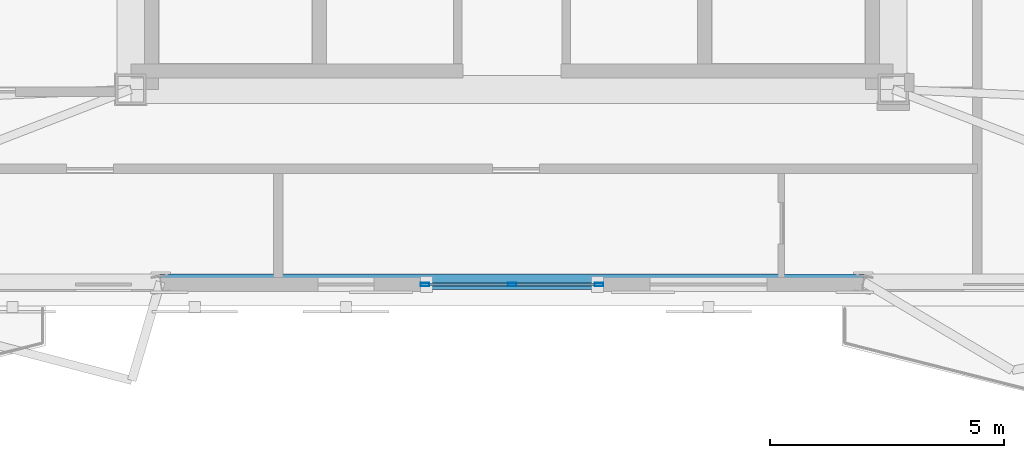
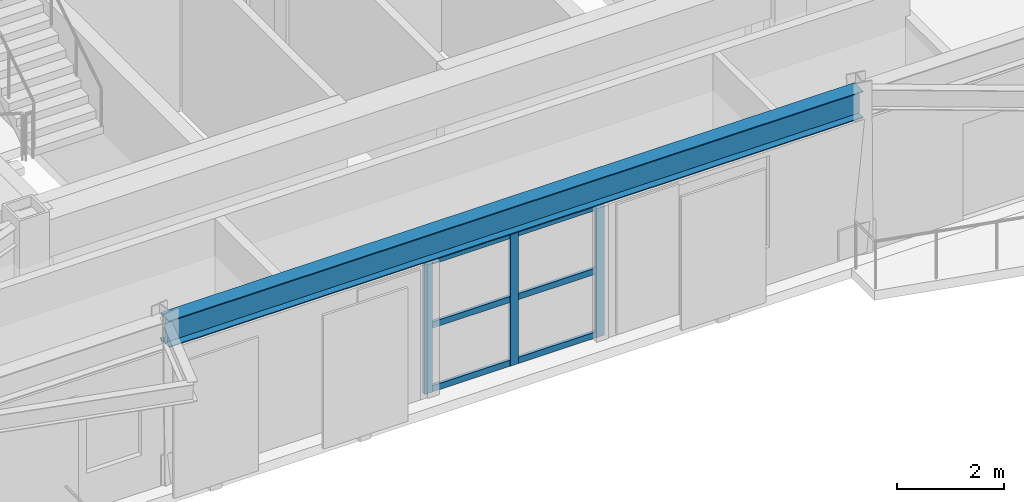
# One storey, part 2 of 15: 9 members, 1 beam, 1 element without a shape of its own.
"""IFC4 building model written with IfcOpenShell, lengths in metres."""

from ifc_helpers import new_model, si_unit, direction, frame, origin, origin_2d, place, context, subcontext, project, spatial, hollow_rectangle, i_section, extrude, material, layer, layer_set, material_profile, profile_set, type_object, element, aggregate, save


model = new_model("IFC4")

# Units and contexts
model_context = context("Model", 3, precision=1e-05, world=origin(), true_north=direction((0.0, 1.0)))
body_context = subcontext(model_context, "Body", "Model", "MODEL_VIEW")
ifc_project = project(units=[si_unit("LENGTHUNIT", "METRE"), si_unit("AREAUNIT", "SQUARE_METRE"), si_unit("VOLUMEUNIT", "CUBIC_METRE"), si_unit("PLANEANGLEUNIT", "RADIAN"), si_unit("MASSUNIT", "GRAM", prefix="KILO")], contexts=[model_context])

# Site, building, storey
site_placement = place(None, origin())
site = spatial("IfcSite", under=ifc_project, at=site_placement, CompositionType="ELEMENT")
building_placement = place(site_placement, origin())
building = spatial("IfcBuilding", under=site, at=building_placement, Name="Oramaril Tower", CompositionType="ELEMENT")
storey_placement = place(building_placement, frame((0.0, 0.0, 288.89990234375)))
storey = spatial("IfcBuildingStorey", under=building, at=storey_placement, Name="L76", CompositionType="ELEMENT", Elevation=288.89990234375)

# Beam
ifc_material_1 = material(Name="Steel ASTM A572 Gr 50", Category="steel")
ifc_material_profile_1 = material_profile(ifc_material_1, i_section(OverallWidth=0.324951171875, OverallDepth=0.612060546875, WebThickness=0.0126953125, FlangeThickness=0.01904296875, at=origin_2d()), Name="W24X104")
ifc_profile_set_1 = profile_set([ifc_material_profile_1], Name="Steel ASTM A572 Gr 50")
beam_type = type_object("IfcBeamType", Name="BT-SP5", PredefinedType="SPANDREL", material=ifc_profile_set_1)
beam_placement = place(storey_placement, frame((29.986083984375, 6.884521484375, 3.3740234375), z_axis=(1.0, 0.0, 0.0), x_axis=(0.0, 1.0, 0.0)))
element("IfcBeam", 1, at=beam_placement, inside=storey, type_object=beam_type, Name="L76 Perimeter Spandrel 04", PredefinedType="SPANDREL", context=body_context, shape_type="SweptSolid", body=[
    extrude(i_section(OverallWidth=0.324951171875, OverallDepth=0.612060546875, WebThickness=0.0126953125, FlangeThickness=0.01904296875, at=origin_2d()), origin(), (0.0, 0.0, 1.0), 15.02783203125),
])

# Curtain wall, members
ifc_material_2 = material(Name="Anodised Aluminium 6063-T6", Category="aluminium")
ifc_layer = layer(ifc_material_2, 0.179931640625)
ifc_layer_set = layer_set([ifc_layer], Name="CWT-SYS4")
curtain_wall_type = type_object("IfcCurtainWallType", Name="CWT-SYS4", PredefinedType="NOTDEFINED", material=ifc_layer_set)
curtain_wall_placement = place(storey_placement, origin())
curtain_wall = element("IfcCurtainWall", 2, at=curtain_wall_placement, inside=storey, type_object=curtain_wall_type, Name="L76 Unitised Curtain Wall CW-4", PredefinedType="NOTDEFINED")
ifc_material_3 = material(Name="Anodised Aluminium 6063-T6", Category="aluminium")
ifc_material_profile_2 = material_profile(ifc_material_3, hollow_rectangle(XDim=0.070068359375, YDim=0.179931640625, WallThickness=0.00390625, at=origin_2d()), Name="CWM180X70")
ifc_profile_set_2 = profile_set([ifc_material_profile_2], Name="Anodised Aluminium 6063-T6")
member_type_1 = type_object("IfcMemberType", Name="MT-CWM2", PredefinedType="MULLION", material=ifc_profile_set_2)
member_1_placement = place(storey_placement, frame((35.639892578125, 6.827392578125, 0.0), z_axis=(0.0, 0.0, 1.0), x_axis=(0.0, 1.0, 0.0)))
member_1 = element("IfcMember", 3, at=member_1_placement, type_object=member_type_1, Name="CW-4 mullion 1", PredefinedType="MULLION", context=body_context, shape_type="SweptSolid", body=[
    extrude(hollow_rectangle(XDim=0.070068359375, YDim=0.179931640625, WallThickness=0.00390625, at=origin_2d()), origin(), (0.0, 0.0, 1.0), 3.05810546875),
])
member_2_placement = place(storey_placement, frame((37.5, 6.827392578125, 0.0), z_axis=(0.0, 0.0, 1.0), x_axis=(0.0, 1.0, 0.0)))
member_2 = element("IfcMember", 4, at=member_2_placement, type_object=member_type_1, Name="CW-4 mullion 2", PredefinedType="MULLION", context=body_context, shape_type="SweptSolid", body=[
    extrude(hollow_rectangle(XDim=0.070068359375, YDim=0.179931640625, WallThickness=0.00390625, at=origin_2d()), origin(), (0.0, 0.0, 1.0), 3.05810546875),
])
member_3_placement = place(storey_placement, frame((39.360107421875, 6.827392578125, 0.0), z_axis=(0.0, 0.0, 1.0), x_axis=(0.0, 1.0, 0.0)))
member_3 = element("IfcMember", 5, at=member_3_placement, type_object=member_type_1, Name="CW-4 mullion 3", PredefinedType="MULLION", context=body_context, shape_type="SweptSolid", body=[
    extrude(hollow_rectangle(XDim=0.070068359375, YDim=0.179931640625, WallThickness=0.00390625, at=origin_2d()), origin(), (0.0, 0.0, 1.0), 3.05810546875),
])
ifc_material_4 = material(Name="Anodised Aluminium 6063-T6", Category="aluminium")
ifc_material_profile_3 = material_profile(ifc_material_4, hollow_rectangle(XDim=0.06494140625, YDim=0.139892578125, WallThickness=0.00390625, at=origin_2d()), Name="CWT140X65")
ifc_profile_set_3 = profile_set([ifc_material_profile_3], Name="Anodised Aluminium 6063-T6")
member_type_2 = type_object("IfcMemberType", Name="MT-CWT2", PredefinedType="USERDEFINED", material=ifc_profile_set_3)
member_4_placement = place(storey_placement, frame((35.72998046875, 6.827392578125, 0.070068359375), z_axis=(1.0, 0.0, 0.0), x_axis=(0.0, 1.0, 0.0)))
member_4 = element("IfcMember", 6, at=member_4_placement, type_object=member_type_2, Name="CW-4 transom 1.1", ObjectType="TRANSOM", PredefinedType="USERDEFINED", context=body_context, shape_type="SweptSolid", body=[
    extrude(hollow_rectangle(XDim=0.06494140625, YDim=0.139892578125, WallThickness=0.00390625, at=origin_2d()), origin(), (0.0, 0.0, 1.0), 1.679931640625),
])
member_5_placement = place(storey_placement, frame((35.72998046875, 6.827392578125, 1.529052734375), z_axis=(1.0, 0.0, 0.0), x_axis=(0.0, 1.0, 0.0)))
member_5 = element("IfcMember", 7, at=member_5_placement, type_object=member_type_2, Name="CW-4 transom 1.2", ObjectType="TRANSOM", PredefinedType="USERDEFINED", context=body_context, shape_type="SweptSolid", body=[
    extrude(hollow_rectangle(XDim=0.06494140625, YDim=0.139892578125, WallThickness=0.00390625, at=origin_2d()), origin(), (0.0, 0.0, 1.0), 1.679931640625),
])
member_6_placement = place(storey_placement, frame((35.72998046875, 6.827392578125, 2.988037109375), z_axis=(1.0, 0.0, 0.0), x_axis=(0.0, 1.0, 0.0)))
member_6 = element("IfcMember", 8, at=member_6_placement, type_object=member_type_2, Name="CW-4 transom 1.3", ObjectType="TRANSOM", PredefinedType="USERDEFINED", context=body_context, shape_type="SweptSolid", body=[
    extrude(hollow_rectangle(XDim=0.06494140625, YDim=0.139892578125, WallThickness=0.00390625, at=origin_2d()), origin(), (0.0, 0.0, 1.0), 1.679931640625),
])
member_7_placement = place(storey_placement, frame((37.590087890625, 6.827392578125, 0.070068359375), z_axis=(1.0, 0.0, 0.0), x_axis=(0.0, 1.0, 0.0)))
member_7 = element("IfcMember", 9, at=member_7_placement, type_object=member_type_2, Name="CW-4 transom 2.1", ObjectType="TRANSOM", PredefinedType="USERDEFINED", context=body_context, shape_type="SweptSolid", body=[
    extrude(hollow_rectangle(XDim=0.06494140625, YDim=0.139892578125, WallThickness=0.00390625, at=origin_2d()), origin(), (0.0, 0.0, 1.0), 1.679931640625),
])
member_8_placement = place(storey_placement, frame((37.590087890625, 6.827392578125, 1.529052734375), z_axis=(1.0, 0.0, 0.0), x_axis=(0.0, 1.0, 0.0)))
member_8 = element("IfcMember", 10, at=member_8_placement, type_object=member_type_2, Name="CW-4 transom 2.2", ObjectType="TRANSOM", PredefinedType="USERDEFINED", context=body_context, shape_type="SweptSolid", body=[
    extrude(hollow_rectangle(XDim=0.06494140625, YDim=0.139892578125, WallThickness=0.00390625, at=origin_2d()), origin(), (0.0, 0.0, 1.0), 1.679931640625),
])
member_9_placement = place(storey_placement, frame((37.590087890625, 6.827392578125, 2.988037109375), z_axis=(1.0, 0.0, 0.0), x_axis=(0.0, 1.0, 0.0)))
member_9 = element("IfcMember", 11, at=member_9_placement, type_object=member_type_2, Name="CW-4 transom 2.3", ObjectType="TRANSOM", PredefinedType="USERDEFINED", context=body_context, shape_type="SweptSolid", body=[
    extrude(hollow_rectangle(XDim=0.06494140625, YDim=0.139892578125, WallThickness=0.00390625, at=origin_2d()), origin(), (0.0, 0.0, 1.0), 1.679931640625),
])
aggregate(curtain_wall, [member_1, member_2, member_3, member_4, member_5, member_6, member_7, member_8, member_9])

save(model, "model.ifc")
